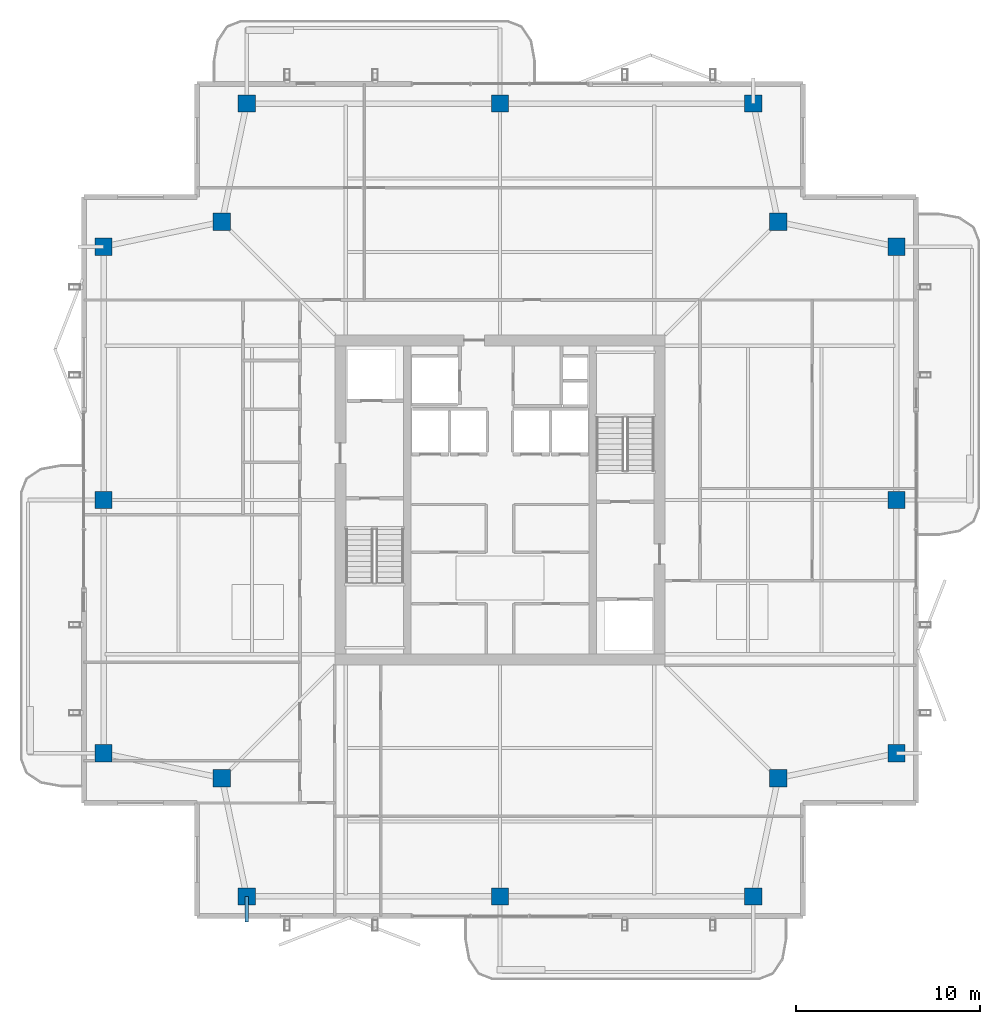
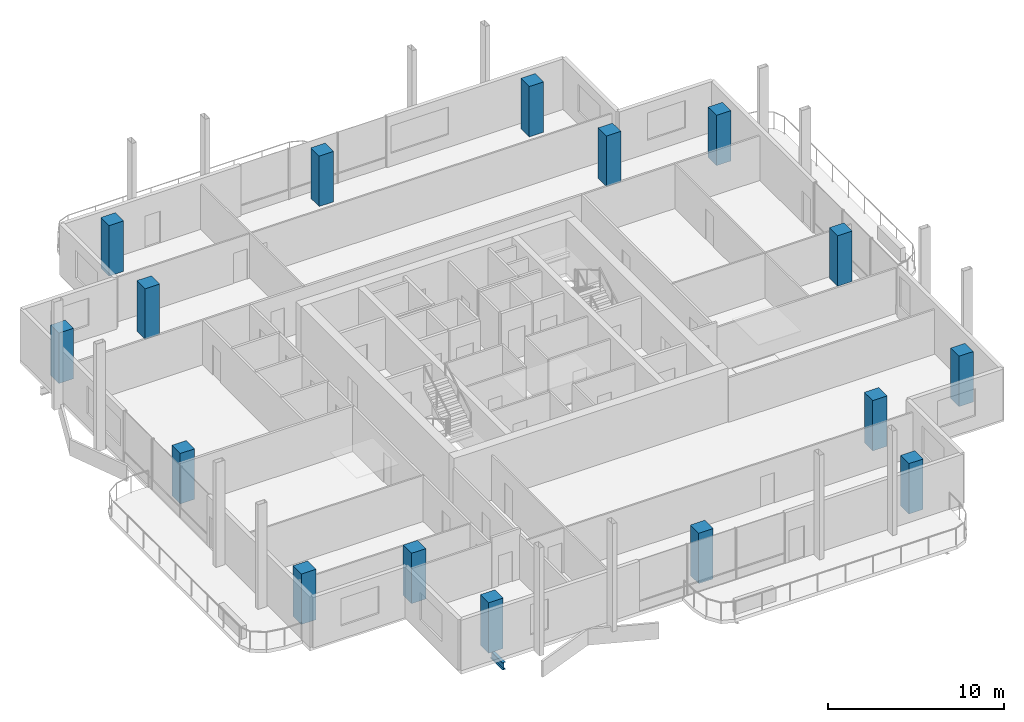
# One storey, part 1 of 20: 16 columns, 1 beam.
"""IFC4 building model written with IfcOpenShell, lengths in metres."""

from ifc_helpers import new_model, si_unit, direction, frame, origin, origin_2d, place, context, subcontext, project, spatial, rectangle, i_section, extrude, material, material_profile, profile_set, type_object, element, save


model = new_model("IFC4")

# Units and contexts
model_context = context("Model", 3, precision=1e-05, world=origin(), true_north=direction((0.0, 1.0)))
body_context = subcontext(model_context, "Body", "Model", "MODEL_VIEW")
ifc_project = project(units=[si_unit("LENGTHUNIT", "METRE"), si_unit("AREAUNIT", "SQUARE_METRE"), si_unit("VOLUMEUNIT", "CUBIC_METRE"), si_unit("PLANEANGLEUNIT", "RADIAN"), si_unit("MASSUNIT", "GRAM", prefix="KILO")], contexts=[model_context])

# Site, building, storey
site_placement = place(None, origin())
site = spatial("IfcSite", under=ifc_project, at=site_placement, CompositionType="ELEMENT")
building_placement = place(site_placement, origin())
building = spatial("IfcBuilding", under=site, at=building_placement, Name="Belovzor Exchange Tower", CompositionType="ELEMENT")
storey_placement = place(building_placement, frame((0.0, 0.0, 321.75)))
storey = spatial("IfcBuildingStorey", under=building, at=storey_placement, Name="L80", CompositionType="ELEMENT", Elevation=321.75)

# Columns
ifc_material_1 = material(Name="Concrete C50/60", Category="concrete")
ifc_material_profile_1 = material_profile(ifc_material_1, rectangle(XDim=0.949951171875, YDim=0.949951171875, at=origin_2d()))
ifc_profile_set_1 = profile_set([ifc_material_profile_1], Name="Concrete C50/60")
column_type = type_object("IfcColumnType", Name="Reinforced Concrete Tower Column 950x950", PredefinedType="COLUMN", material=ifc_profile_set_1)
for number, where, z_axis, x_axis, name in (
    (1, (15.0, 7.199951171875, 0.0029296875), (0.0, 0.0, 1.0), (1.0, 0.0, 0.0), "COL-T095 Reinforced Concrete Tower Column 950x950"),
    (2, (28.800048828125, 7.199951171875, 0.0029296875), (0.0, 0.0, 1.0), (1.0, 0.0, 0.0), "COL-T095 Reinforced Concrete Tower Column 950x950"),
    (3, (42.60009765625, 7.199951171875, 0.0029296875), (0.0, 0.0, 1.0), (1.0, 0.0, 0.0), "COL-T095 Reinforced Concrete Tower Column 950x950"),
    (4, (50.39990234375, 15.0, 0.0029296875), (0.0, 0.0, 1.0), (1.0, 0.0, 0.0), "COL-T095 Reinforced Concrete Tower Column 950x950"),
    (5, (50.39990234375, 28.800048828125, 0.0029296875), (0.0, 0.0, 1.0), (1.0, 0.0, 0.0), "COL-T095 Reinforced Concrete Tower Column 950x950"),
    (6, (50.39990234375, 42.60009765625, 0.0029296875), (0.0, 0.0, 1.0), (1.0, 0.0, 0.0), "COL-T095 Reinforced Concrete Tower Column 950x950"),
    (7, (42.60009765625, 50.39990234375, 0.0029296875), (0.0, 0.0, 1.0), (1.0, 0.0, 0.0), "COL-T095 Reinforced Concrete Tower Column 950x950"),
    (8, (28.800048828125, 50.39990234375, 0.0029296875), (0.0, 0.0, 1.0), (1.0, 0.0, 0.0), "COL-T095 Reinforced Concrete Tower Column 950x950"),
    (9, (15.0, 50.39990234375, 0.0029296875), (0.0, 0.0, 1.0), (1.0, 0.0, 0.0), "COL-T095 Reinforced Concrete Tower Column 950x950"),
    (10, (7.199951171875, 42.60009765625, 0.0029296875), (0.0, 0.0, 1.0), (1.0, 0.0, 0.0), "COL-T095 Reinforced Concrete Tower Column 950x950"),
    (11, (7.199951171875, 28.800048828125, 0.0029296875), (0.0, 0.0, 1.0), (1.0, 0.0, 0.0), "COL-T095 Reinforced Concrete Tower Column 950x950"),
    (12, (7.199951171875, 15.0, 0.0029296875), (0.0, 0.0, 1.0), (1.0, 0.0, 0.0), "COL-T095 Reinforced Concrete Tower Column 950x950"),
    (13, (13.64990234375, 13.64990234375, 0.0029296875), (0.0, 0.0, 1.0), (1.0, 0.0, 0.0), "COL-T095 Reinforced Concrete Tower Column 950x950"),
    (14, (43.949951171875, 13.64990234375, 0.0029296875), (0.0, 0.0, 1.0), (1.0, 0.0, 0.0), "COL-T095 Reinforced Concrete Tower Column 950x950"),
    (15, (43.949951171875, 43.949951171875, 0.0029296875), (0.0, 0.0, 1.0), (1.0, 0.0, 0.0), "COL-T095 Reinforced Concrete Tower Column 950x950"),
    (16, (13.64990234375, 43.949951171875, 0.0029296875), (0.0, 0.0, 1.0), (1.0, 0.0, 0.0), "COL-T095 Reinforced Concrete Tower Column 950x950"),
):
    element("IfcColumn", number, at=place(storey_placement, frame(where, z_axis=z_axis, x_axis=x_axis)), inside=storey, type_object=column_type, Name=name, PredefinedType="COLUMN", context=body_context, shape_type="SweptSolid", body=[
        extrude(rectangle(XDim=0.949951171875, YDim=0.949951171875, at=origin_2d()), origin(), (0.0, 0.0, 1.0), 3.504150390625),
    ])

# Beam
ifc_material_2 = material(Name="Steel S355", Category="steel")
ifc_material_profile_2 = material_profile(ifc_material_2, i_section(OverallWidth=0.199951171875, OverallDepth=0.5, WebThickness=0.01025390625, FlangeThickness=0.01611328125, at=origin_2d()))
ifc_profile_set_2 = profile_set([ifc_material_profile_2], Name="Steel S355")
beam_type = type_object("IfcBeamType", Name="Planted Balcony Cantilever Beam IPE 500", PredefinedType="BEAM", material=ifc_profile_set_2)
beam_placement = place(storey_placement, frame((15.0, 7.199951171875, -0.489990234375), z_axis=(0.0, -1.0, 0.0), x_axis=(1.0, 0.0, 0.0)))
element("IfcBeam", 17, at=beam_placement, inside=storey, type_object=beam_type, Name="BC-500 Planted Balcony Cantilever Beam IPE 500", PredefinedType="BEAM", context=body_context, shape_type="SweptSolid", body=[
    extrude(i_section(OverallWidth=0.199951171875, OverallDepth=0.5, WebThickness=0.01025390625, FlangeThickness=0.01611328125, at=origin_2d()), origin(), (0.0, 0.0, 1.0), 1.39990234375),
])

save(model, "model.ifc")
